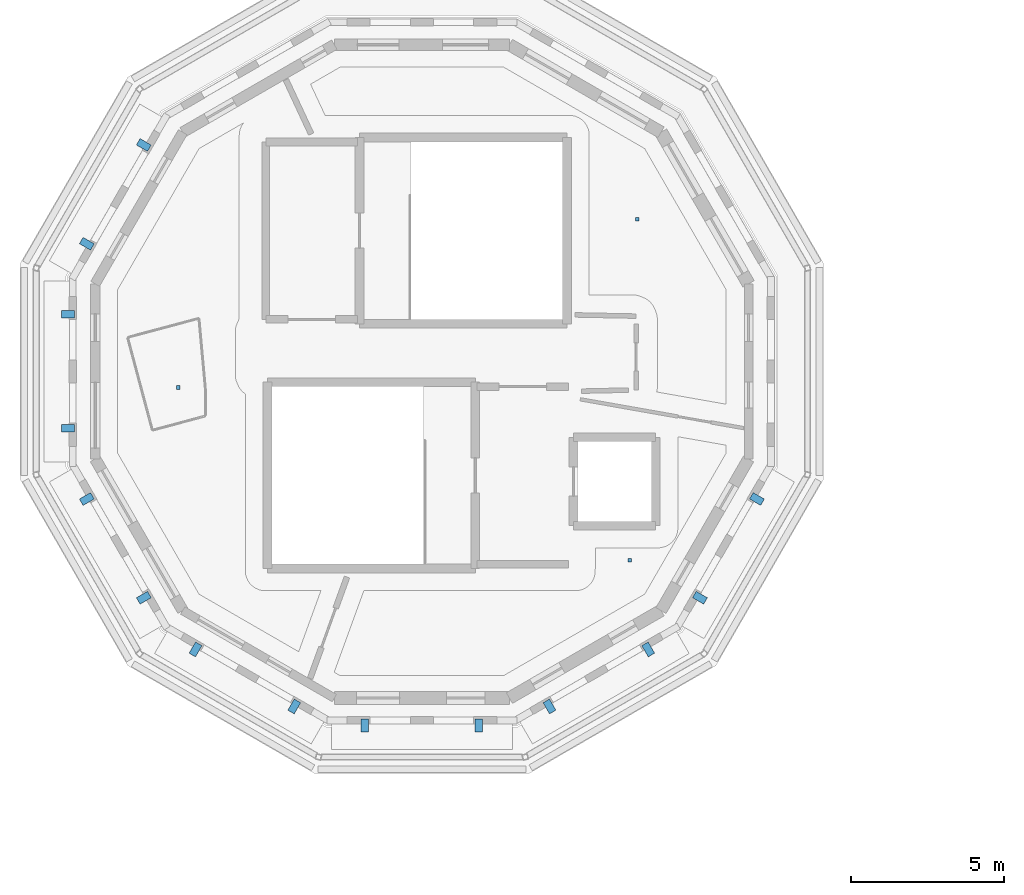
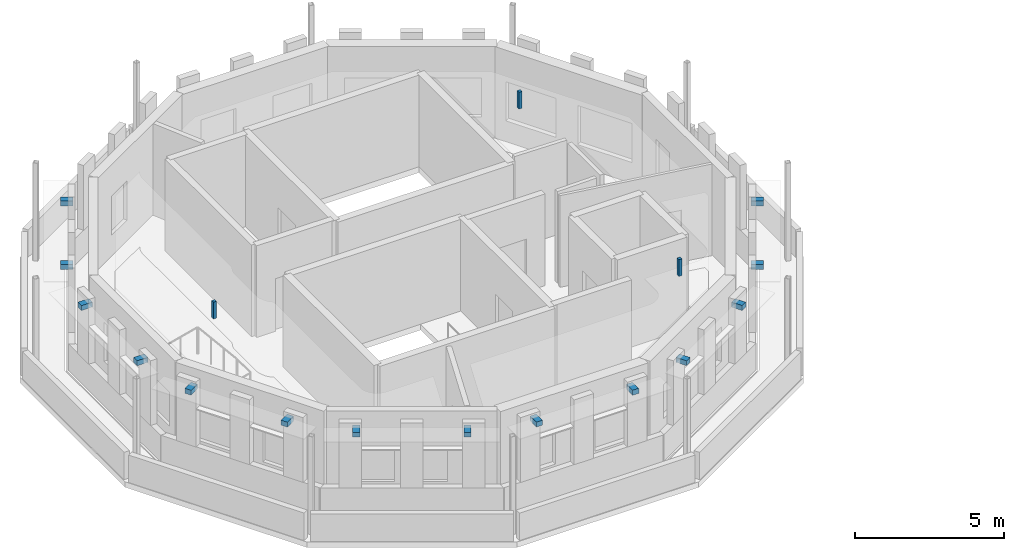
# One storey, part 46 of 51: 17 discrete accessories.
"""IFC4 building model written with IfcOpenShell, lengths in metres."""

from ifc_helpers import new_model, si_unit, direction, frame, origin, origin_2d, place, context, subcontext, project, spatial, rectangle, extrude, material, type_object, element, save


model = new_model("IFC4")

# Units and contexts
model_context = context("Model", 3, precision=1e-05, world=origin(), true_north=direction((0.0, 1.0)))
body_context = subcontext(model_context, "Body", "Model", "MODEL_VIEW")
ifc_project = project(units=[si_unit("LENGTHUNIT", "METRE"), si_unit("AREAUNIT", "SQUARE_METRE"), si_unit("VOLUMEUNIT", "CUBIC_METRE"), si_unit("PLANEANGLEUNIT", "RADIAN"), si_unit("MASSUNIT", "GRAM", prefix="KILO")], contexts=[model_context])

# Site, building, storey
site_placement = place(None, origin())
site = spatial("IfcSite", under=ifc_project, at=site_placement, CompositionType="ELEMENT")
building_placement = place(site_placement, origin())
building = spatial("IfcBuilding", under=site, at=building_placement, Name="Wrenclough Park School", CompositionType="ELEMENT")
storey_placement = place(building_placement, frame((0.0, 0.0, 16.800048828125)))
storey = spatial("IfcBuildingStorey", under=building, at=storey_placement, Name="L04", CompositionType="ELEMENT", Elevation=16.800048828125)

# Discrete accessories
ifc_material_1 = material(Name="Austenitic stainless steel Grade 1.4401", Category="steel")
discrete_accessory_type_1 = type_object("IfcDiscreteAccessoryType", Name="ENV-BRK-01", PredefinedType="BRACKET", material=ifc_material_1)
for number, where, z_axis, x_axis, name in (
    (1, (7.410888671875, 96.8994140625, 3.33984375), (0.0, 0.0, 1.0), (-0.499993265922, -0.866029291671, 0.0), "Brise-soleil stainless outrigger bracket 0237"),
    (2, (5.54736328125, 93.671630859375, 3.33984375), (0.0, 0.0, 1.0), (-0.499993265922, -0.866029291671, 0.0), "Brise-soleil stainless outrigger bracket 0238"),
    (3, (4.928955078125, 91.363525390625, 3.33984375), (0.0, 0.0, 1.0), (0.0, -1.0, 0.0), "Brise-soleil stainless outrigger bracket 0239"),
    (4, (4.928955078125, 87.636474609375, 3.33984375), (0.0, 0.0, 1.0), (0.0, -1.0, 0.0), "Brise-soleil stainless outrigger bracket 0240"),
    (5, (5.54736328125, 85.328369140625, 3.33984375), (0.0, 0.0, 1.0), (0.499993265922, -0.866029291671, 0.0), "Brise-soleil stainless outrigger bracket 0241"),
    (6, (7.410888671875, 82.1005859375, 3.33984375), (0.0, 0.0, 1.0), (0.499993265922, -0.866029291671, 0.0), "Brise-soleil stainless outrigger bracket 0242"),
    (7, (9.1005859375, 80.410888671875, 3.33984375), (0.0, 0.0, 1.0), (0.866029291671, -0.499993265922, 0.0), "Brise-soleil stainless outrigger bracket 0243"),
    (8, (12.328369140625, 78.54736328125, 3.33984375), (0.0, 0.0, 1.0), (0.866029291671, -0.499993265922, 0.0), "Brise-soleil stainless outrigger bracket 0244"),
    (9, (14.636474609375, 77.928955078125, 3.33984375), (0.0, 0.0, 1.0), (1.0, 0.0, 0.0), "Brise-soleil stainless outrigger bracket 0245"),
    (10, (18.363525390625, 77.928955078125, 3.33984375), (0.0, 0.0, 1.0), (1.0, 0.0, 0.0), "Brise-soleil stainless outrigger bracket 0246"),
    (11, (20.671630859375, 78.54736328125, 3.33984375), (0.0, 0.0, 1.0), (0.866029291671, 0.499993265922, 0.0), "Brise-soleil stainless outrigger bracket 0247"),
    (12, (23.8994140625, 80.410888671875, 3.33984375), (0.0, 0.0, 1.0), (0.866029291671, 0.499993265922, 0.0), "Brise-soleil stainless outrigger bracket 0248"),
    (13, (25.589111328125, 82.1005859375, 3.33984375), (0.0, 0.0, 1.0), (0.499993265922, 0.866029291671, 0.0), "Brise-soleil stainless outrigger bracket 0249"),
    (14, (27.45263671875, 85.328369140625, 3.33984375), (0.0, 0.0, 1.0), (0.499993265922, 0.866029291671, 0.0), "Brise-soleil stainless outrigger bracket 0250"),
):
    element("IfcDiscreteAccessory", number, at=place(storey_placement, frame(where, z_axis=z_axis, x_axis=x_axis)), inside=storey, type_object=discrete_accessory_type_1, Name=name, PredefinedType="BRACKET", context=body_context, shape_type="SweptSolid", body=[
        extrude(rectangle(XDim=0.239990234375, YDim=0.419921875, at=origin_2d()), origin(), (0.0, 0.0, 1.0), 0.199951171875),
    ])
ifc_material_2 = material(Name="Galvanised steel acoustic ceiling suspension hanger", Category="steel")
discrete_accessory_type_2 = type_object("IfcDiscreteAccessoryType", Name="INT-BRK-HGR", PredefinedType="BRACKET", material=ifc_material_2)
for number, where, z_axis, x_axis, name in (
    (15, (8.5390625, 88.97119140625, 3.090087890625), (0.0, 0.0, 1.0), (1.0, 0.0, 0.0), "Acoustic ceiling hanger bracket 0082"),
    (16, (23.29541015625, 83.322998046875, 3.090087890625), (0.0, 0.0, 1.0), (1.0, 0.0, 0.0), "Acoustic ceiling hanger bracket 0083"),
    (17, (23.543212890625, 94.474609375, 3.090087890625), (0.0, 0.0, 1.0), (1.0, 0.0, 0.0), "Acoustic ceiling hanger bracket 0084"),
):
    element("IfcDiscreteAccessory", number, at=place(storey_placement, frame(where, z_axis=z_axis, x_axis=x_axis)), inside=storey, type_object=discrete_accessory_type_2, Name=name, PredefinedType="BRACKET", context=body_context, shape_type="SweptSolid", body=[
        extrude(rectangle(XDim=0.1201171875, YDim=0.1201171875, at=origin_2d()), origin(), (0.0, 0.0, 1.0), 0.68994140625),
    ])

save(model, "model.ifc")
